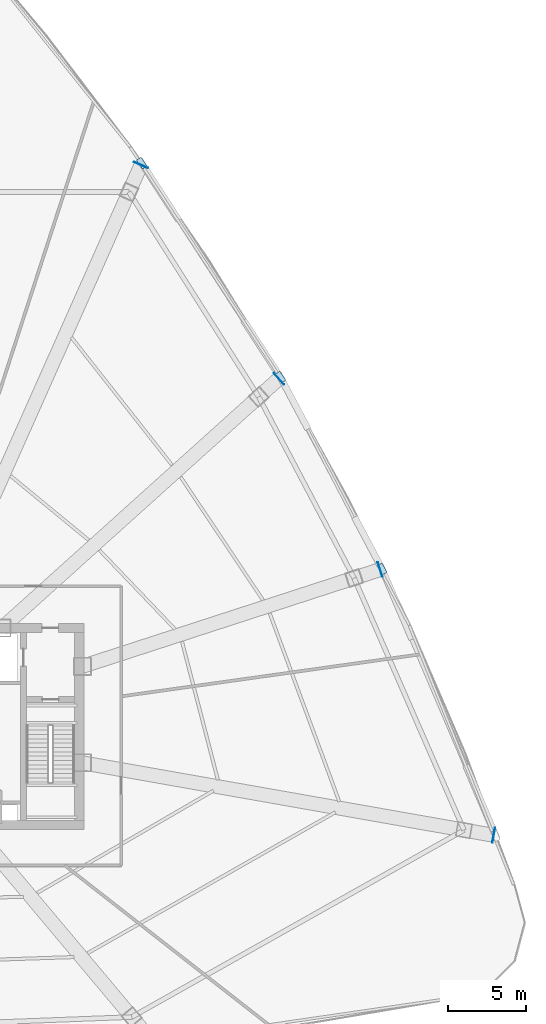
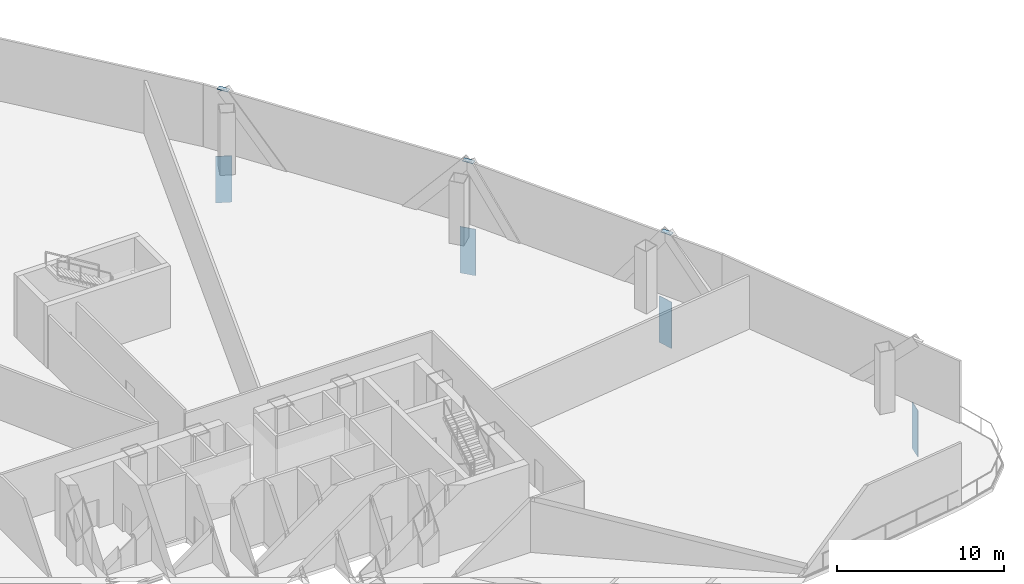
# One storey, part 6 of 15: 7 plates.
"""IFC4 building model written with IfcOpenShell, lengths in metres."""

from ifc_helpers import new_model, si_unit, direction, frame, origin, origin_2d, place, context, subcontext, project, spatial, rectangle, extrude, source, transform, mapped, material, layer, layer_set, type_object, element, save


model = new_model("IFC4")

# Units and contexts
model_context = context("Model", 3, precision=1e-05, world=origin(), true_north=direction((0.0, 1.0)))
body_context = subcontext(model_context, "Body", "Model", "MODEL_VIEW")
ifc_project = project(units=[si_unit("LENGTHUNIT", "METRE"), si_unit("AREAUNIT", "SQUARE_METRE"), si_unit("VOLUMEUNIT", "CUBIC_METRE"), si_unit("PLANEANGLEUNIT", "RADIAN"), si_unit("MASSUNIT", "GRAM", prefix="KILO"), si_unit("THERMODYNAMICTEMPERATUREUNIT", "KELVIN"), si_unit("POWERUNIT", "WATT")], contexts=[model_context])

# Site, building, storey
site_placement = place(None, origin())
site = spatial("IfcSite", under=ifc_project, at=site_placement, CompositionType="ELEMENT")
building_placement = place(site_placement, origin())
building = spatial("IfcBuilding", under=site, at=building_placement, Name="Yunzhuo Pagoda Commons", CompositionType="ELEMENT")
storey_placement = place(building_placement, frame((0.0, 0.0, 125.030029296875)))
storey = spatial("IfcBuildingStorey", under=building, at=storey_placement, Name="L31", CompositionType="ELEMENT", Elevation=125.030029296875)

# Plates
ifc_material_1 = material(Name="Structural steel Q420B", Category="steel")
ifc_layer_1 = layer(ifc_material_1, 0.0400390625)
ifc_layer_set_1 = layer_set([ifc_layer_1], Name="Structural steel Q420B")
plate_type_1 = type_object("IfcPlateType", Name="EP-TR2 Transfer Girder End Cap Plate 980x3540x40", PredefinedType="USERDEFINED", material=ifc_layer_set_1)
shared_shape_1 = source(origin(), body_context, "Body", "SweptSolid", [
    extrude(rectangle(XDim=0.97998046875, YDim=0.0400390625, at=origin_2d()), origin(), (0.0, 0.0, 1.0), 3.389892578125),
])
for number, where, z_axis, x_axis, name in (
    (1, (86.912841796875, 26.838623046875, -3.64990234375), (0.0, 0.0, 1.0), (0.173648177667, 0.984807753012, 0.0), "L31 transfer girder end cap plate F2C1"),
    (2, (79.590087890625, 43.96435546875, -3.64990234375), (0.0, 0.0, 1.0), (-0.309016994375, 0.951056516295, 0.0), "L31 transfer girder end cap plate F2C2"),
    (3, (73.072021484375, 56.27490234375, -3.64990234375), (0.0, 0.0, 1.0), (-0.669130606359, 0.743144825477, 0.0), "L31 transfer girder end cap plate F2C3"),
    (4, (64.178955078125, 70.03857421875, -3.64990234375), (0.0, 0.0, 1.0), (-0.913545457643, 0.406736643076, 0.0), "L31 transfer girder end cap plate F2C4"),
):
    element("IfcPlate", number, at=place(storey_placement, frame(where, z_axis=z_axis, x_axis=x_axis)), inside=storey, type_object=plate_type_1, Name=name, ObjectType="END_PLATE", PredefinedType="USERDEFINED", context=body_context, shape_type="MappedRepresentation", body=[
        mapped(shared_shape_1, transform((0.0, 0.0, 0.0), scale=1.0)),
    ])
ifc_material_2 = material(Name="Structural steel Q355B", Category="steel")
ifc_layer_2 = layer(ifc_material_2, 0.028076171875)
ifc_layer_set_2 = layer_set([ifc_layer_2], Name="Structural steel Q355B")
plate_type_2 = type_object("IfcPlateType", Name="SP-ND1 Lattice Node Cap Plate 800x500x28", PredefinedType="USERDEFINED", material=ifc_layer_set_2)
shared_shape_2 = source(origin(), body_context, "Body", "SweptSolid", [
    extrude(rectangle(XDim=0.699951171875, YDim=0.35009765625, at=origin_2d()), origin(), (0.0, 0.0, 1.0), 0.035888671875),
])
for number, where, z_axis, x_axis, name in (
    (5, (79.720458984375, 44.006591796875, 4.501953125), (0.0, 0.0, 1.0), (-0.468068630068, 0.883692116943, 0.0), "L31 setback lattice tie plate F2.2L"),
    (6, (73.173828125, 56.36669921875, 4.501953125), (0.0, 0.0, 1.0), (-0.543745835187, 0.839249942935, 0.0), "L31 setback lattice tie plate F2.3L"),
    (7, (64.234619140625, 70.163818359375, 4.501953125), (0.0, 0.0, 1.0), (-0.543745835187, 0.839249942935, 0.0), "L31 setback lattice tie plate F2.3R"),
):
    element("IfcPlate", number, at=place(storey_placement, frame(where, z_axis=z_axis, x_axis=x_axis)), inside=storey, type_object=plate_type_2, Name=name, ObjectType="STIFFENER_PLATE", PredefinedType="USERDEFINED", context=body_context, shape_type="MappedRepresentation", body=[
        mapped(shared_shape_2, transform((0.0, 0.0, 0.0), scale=1.0)),
    ])

save(model, "model.ifc")
